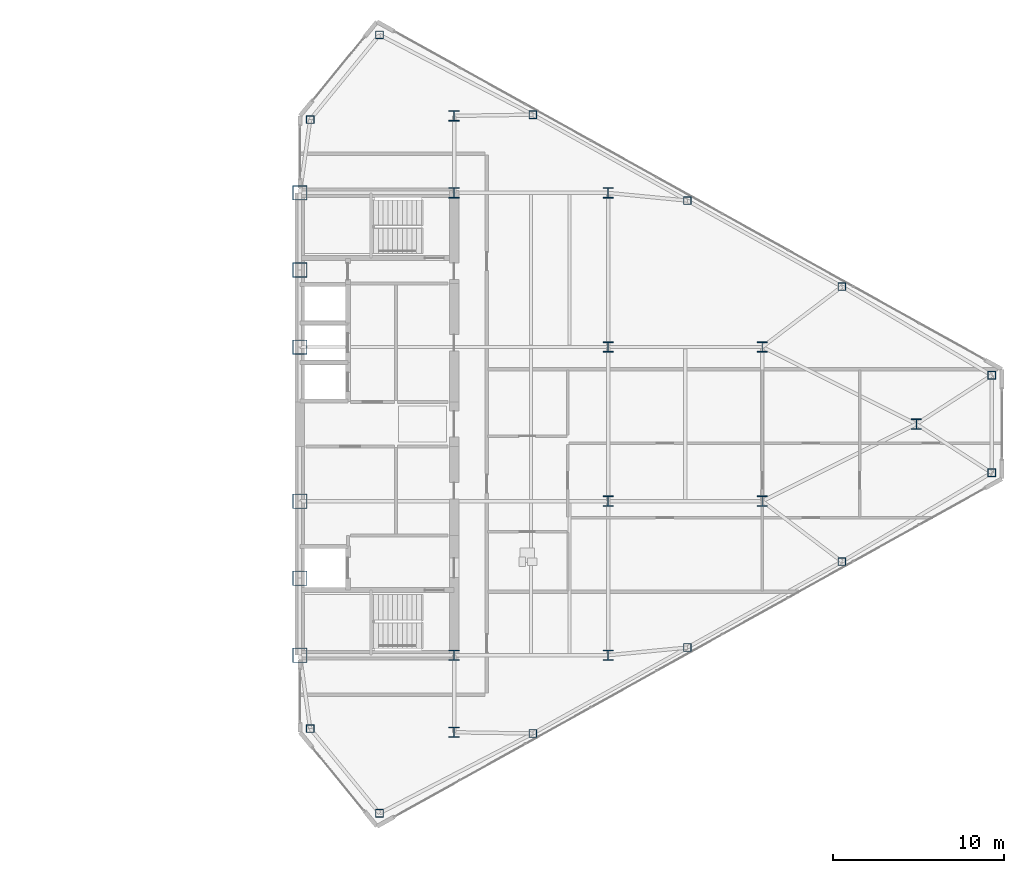
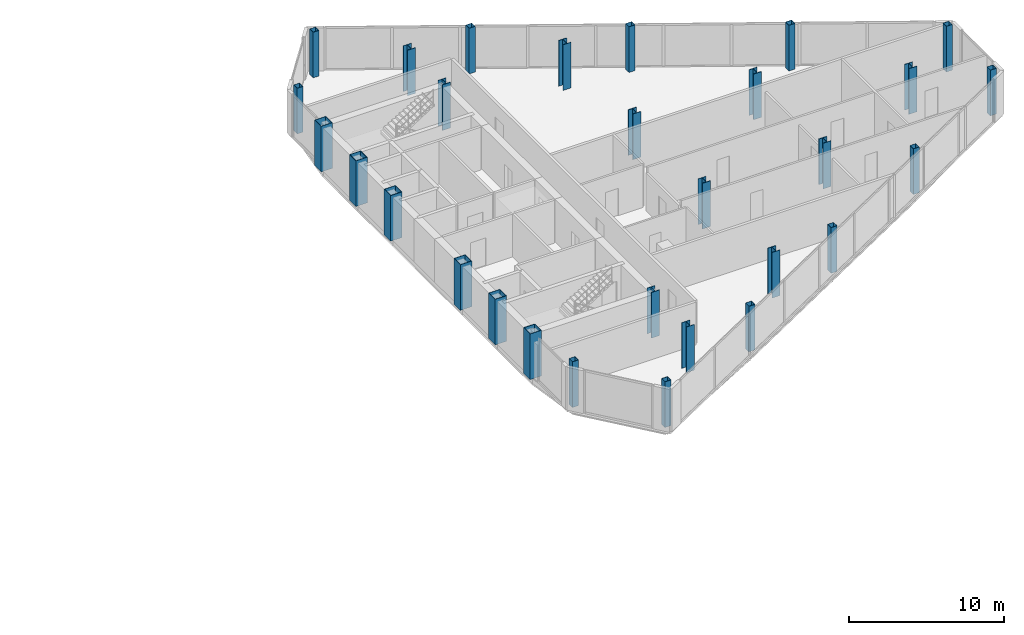
# One storey, part 2 of 25: 29 columns.
"""IFC4 building model written with IfcOpenShell, lengths in metres."""

from ifc_helpers import new_model, si_unit, direction, frame, origin, origin_2d, place, context, subcontext, project, spatial, hollow_rectangle, i_section, extrude, source, transform, mapped, material, material_profile, profile_set, type_object, type_shapes, element, save


model = new_model("IFC4")

# Units and contexts
model_context = context("Model", 3, precision=1e-05, world=origin(), true_north=direction((0.0, 1.0)))
body_context = subcontext(model_context, "Body", "Model", "MODEL_VIEW")
ifc_project = project(units=[si_unit("LENGTHUNIT", "METRE"), si_unit("AREAUNIT", "SQUARE_METRE"), si_unit("VOLUMEUNIT", "CUBIC_METRE"), si_unit("PLANEANGLEUNIT", "RADIAN"), si_unit("MASSUNIT", "GRAM", prefix="KILO")], contexts=[model_context])

# Site, building, storey
site_placement = place(None, origin())
site = spatial("IfcSite", under=ifc_project, at=site_placement, CompositionType="ELEMENT")
building_placement = place(site_placement, origin())
building = spatial("IfcBuilding", under=site, at=building_placement, Name="Seokmaru Belvedere", CompositionType="ELEMENT")
storey_placement = place(building_placement, frame((0.0, 0.0, 185.10009765625)))
storey = spatial("IfcBuildingStorey", under=building, at=storey_placement, Name="L49", CompositionType="ELEMENT", Elevation=185.10009765625)

# Columns
ifc_material_1 = material(Name="Steel SM355 (355 MPa)", Category="steel")
ifc_material_profile_1 = material_profile(ifc_material_1, hollow_rectangle(XDim=0.449951171875, YDim=0.449951171875, WallThickness=0.01806640625, at=origin_2d()), Name="HSS-450x450x18")
ifc_profile_set_1 = profile_set([ifc_material_profile_1], Name="Steel SM355 (355 MPa)")
column_type_1 = type_object("IfcColumnType", Name="Perimeter Facet Column HSS-450", PredefinedType="COLUMN", material=ifc_profile_set_1)
shared_shape_1 = source(origin(), body_context, "Body", "SweptSolid", [
    extrude(hollow_rectangle(XDim=0.449951171875, YDim=0.449951171875, WallThickness=0.01806640625, at=origin_2d()), origin(), (0.0, 0.0, 1.0), 3.599853515625),
])
type_shapes(column_type_1, [shared_shape_1])
for number, where, z_axis, x_axis, name in (
    (1, (32.146728515625, -22.731689453125, 0.0), (0.0, 0.0, 1.0), (1.0, 0.0, 0.0), "L49 Column EF1"),
    (2, (67.89990234375, -2.84716796875, 0.0), (0.0, 0.0, 1.0), (1.0, 0.0, 0.0), "L49 Column EF2"),
    (3, (67.89990234375, 2.84716796875, 0.0), (0.0, 0.0, 1.0), (1.0, 0.0, 0.0), "L49 Column EF3"),
    (4, (32.146728515625, 22.731689453125, 0.0), (0.0, 0.0, 1.0), (1.0, 0.0, 0.0), "L49 Column EF4"),
    (5, (28.10009765625, 17.785888671875, 0.0), (0.0, 0.0, 1.0), (1.0, 0.0, 0.0), "L49 Column EF5"),
    (6, (28.10009765625, -17.785888671875, 0.0), (0.0, 0.0, 1.0), (1.0, 0.0, 0.0), "L49 Column EF6"),
    (7, (41.103759765625, -18.07080078125, 0.0), (0.0, 0.0, 1.0), (1.0, 0.0, 0.0), "L49 Column EFLK_S1"),
    (8, (50.129150390625, -13.051025390625, 0.0), (0.0, 0.0, 1.0), (1.0, 0.0, 0.0), "L49 Column EFLK_S2"),
    (9, (59.154541015625, -8.031494140625, 0.0), (0.0, 0.0, 1.0), (1.0, 0.0, 0.0), "L49 Column EFLK_S3"),
    (10, (41.103759765625, 18.07080078125, 0.0), (0.0, 0.0, 1.0), (1.0, 0.0, 0.0), "L49 Column EFLK_N1"),
    (11, (50.129150390625, 13.051025390625, 0.0), (0.0, 0.0, 1.0), (1.0, 0.0, 0.0), "L49 Column EFLK_N2"),
    (12, (59.154541015625, 8.031494140625, 0.0), (0.0, 0.0, 1.0), (1.0, 0.0, 0.0), "L49 Column EFLK_N3"),
):
    element("IfcColumn", number, at=place(storey_placement, frame(where, z_axis=z_axis, x_axis=x_axis)), inside=storey, type_object=column_type_1, Name=name, PredefinedType="COLUMN", context=body_context, shape_type="MappedRepresentation", body=[
        mapped(shared_shape_1, transform((0.0, 0.0, 0.0), scale=1.0)),
    ])
ifc_material_2 = material(Name="Steel HSA650 (650 MPa)", Category="steel")
ifc_material_profile_2 = material_profile(ifc_material_2, hollow_rectangle(XDim=0.85009765625, YDim=0.85009765625, WallThickness=0.035888671875, at=origin_2d()), Name="BOX-850x850x36")
ifc_profile_set_2 = profile_set([ifc_material_profile_2], Name="Steel HSA650 (650 MPa)")
column_type_2 = type_object("IfcColumnType", Name="Portal Spine Column BOX-850", PredefinedType="COLUMN", material=ifc_profile_set_2)
shared_shape_2 = source(origin(), body_context, "Body", "SweptSolid", [
    extrude(hollow_rectangle(XDim=0.85009765625, YDim=0.85009765625, WallThickness=0.035888671875, at=origin_2d()), origin(), (0.0, 0.0, 1.0), 3.599853515625),
])
type_shapes(column_type_2, [shared_shape_2])
for number, where, z_axis, x_axis, name in (
    (13, (27.5, -13.5, 0.0), (0.0, 0.0, 1.0), (1.0, 0.0, 0.0), "L49 Column ES1"),
    (14, (27.5, -9.0, 0.0), (0.0, 0.0, 1.0), (1.0, 0.0, 0.0), "L49 Column ES2"),
    (15, (27.5, -4.5, 0.0), (0.0, 0.0, 1.0), (1.0, 0.0, 0.0), "L49 Column ES3"),
    (16, (27.5, 4.5, 0.0), (0.0, 0.0, 1.0), (1.0, 0.0, 0.0), "L49 Column ES4"),
    (17, (27.5, 9.0, 0.0), (0.0, 0.0, 1.0), (1.0, 0.0, 0.0), "L49 Column ES5"),
    (18, (27.5, 13.5, 0.0), (0.0, 0.0, 1.0), (1.0, 0.0, 0.0), "L49 Column ES6"),
):
    element("IfcColumn", number, at=place(storey_placement, frame(where, z_axis=z_axis, x_axis=x_axis)), inside=storey, type_object=column_type_2, Name=name, PredefinedType="COLUMN", context=body_context, shape_type="MappedRepresentation", body=[
        mapped(shared_shape_2, transform((0.0, 0.0, 0.0), scale=1.0)),
    ])
ifc_material_profile_3 = material_profile(ifc_material_1, i_section(OverallWidth=0.60009765625, OverallDepth=0.60009765625, WebThickness=0.02490234375, FlangeThickness=0.0400390625, at=origin_2d()), Name="H-600x600x25x40")
ifc_profile_set_3 = profile_set([ifc_material_profile_3], Name="Steel SM355 (355 MPa)")
column_type_3 = type_object("IfcColumnType", Name="Upper-Mid Interior Column H-600", PredefinedType="COLUMN", material=ifc_profile_set_3)
shared_shape_3 = source(origin(), body_context, "Body", "SweptSolid", [
    extrude(i_section(OverallWidth=0.60009765625, OverallDepth=0.60009765625, WebThickness=0.02490234375, FlangeThickness=0.0400390625, at=origin_2d()), origin(), (0.0, 0.0, 1.0), 3.599853515625),
])
type_shapes(column_type_3, [shared_shape_3])
for number, where, z_axis, x_axis, name in (
    (19, (36.5, -18.0, 0.0), (0.0, 0.0, 1.0), (1.0, 0.0, 0.0), "L49 Column EC1"),
    (20, (36.5, -13.5, 0.0), (0.0, 0.0, 1.0), (1.0, 0.0, 0.0), "L49 Column EC2"),
    (21, (36.5, 13.5, 0.0), (0.0, 0.0, 1.0), (1.0, 0.0, 0.0), "L49 Column EC3"),
    (22, (36.5, 18.0, 0.0), (0.0, 0.0, 1.0), (1.0, 0.0, 0.0), "L49 Column EC4"),
    (23, (45.5, -13.5, 0.0), (0.0, 0.0, 1.0), (1.0, 0.0, 0.0), "L49 Column EG5_1"),
    (24, (45.5, -4.5, 0.0), (0.0, 0.0, 1.0), (1.0, 0.0, 0.0), "L49 Column EG5_2"),
    (25, (45.5, 4.5, 0.0), (0.0, 0.0, 1.0), (1.0, 0.0, 0.0), "L49 Column EG5_3"),
    (26, (45.5, 13.5, 0.0), (0.0, 0.0, 1.0), (1.0, 0.0, 0.0), "L49 Column EG5_4"),
    (27, (54.5, -4.5, 0.0), (0.0, 0.0, 1.0), (1.0, 0.0, 0.0), "L49 Column EG4P_1"),
    (28, (54.5, 4.5, 0.0), (0.0, 0.0, 1.0), (1.0, 0.0, 0.0), "L49 Column EG4P_2"),
    (29, (63.5, 0.0, 0.0), (0.0, 0.0, 1.0), (1.0, 0.0, 0.0), "L49 Column EG3P_1"),
):
    element("IfcColumn", number, at=place(storey_placement, frame(where, z_axis=z_axis, x_axis=x_axis)), inside=storey, type_object=column_type_3, Name=name, PredefinedType="COLUMN", context=body_context, shape_type="MappedRepresentation", body=[
        mapped(shared_shape_3, transform((0.0, 0.0, 0.0), scale=1.0)),
    ])

save(model, "model.ifc")
